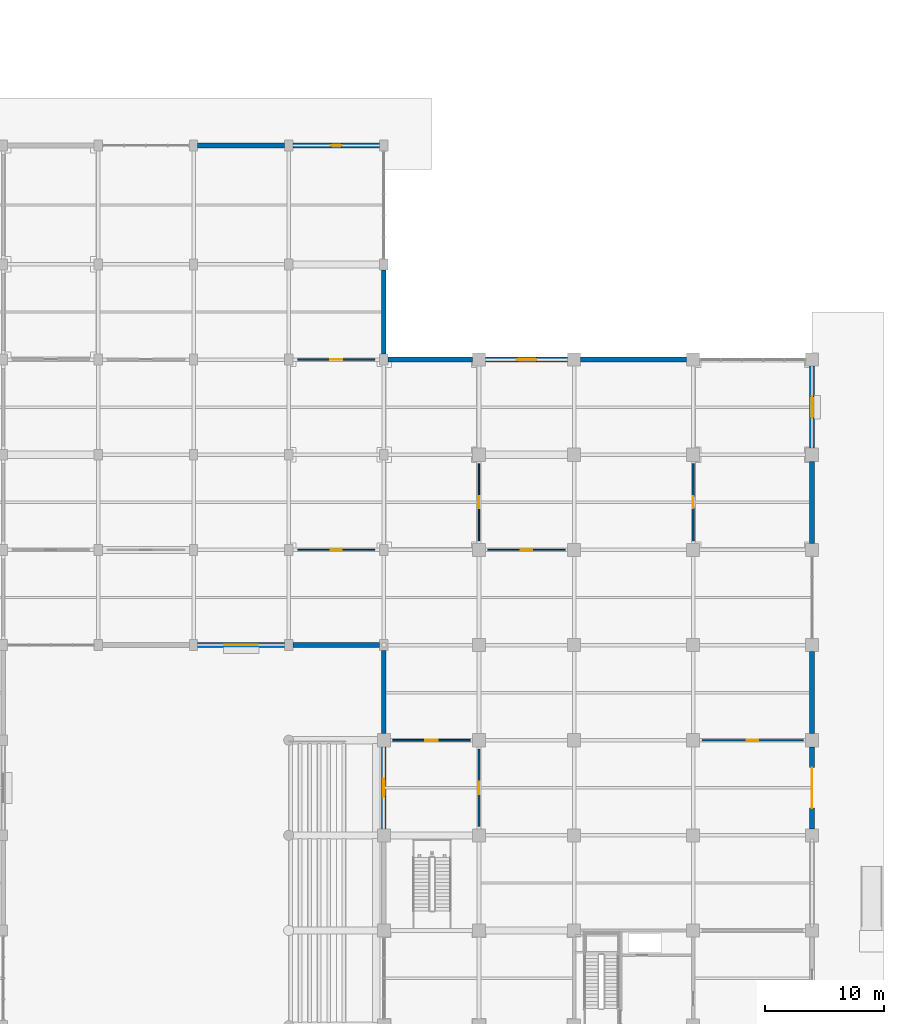
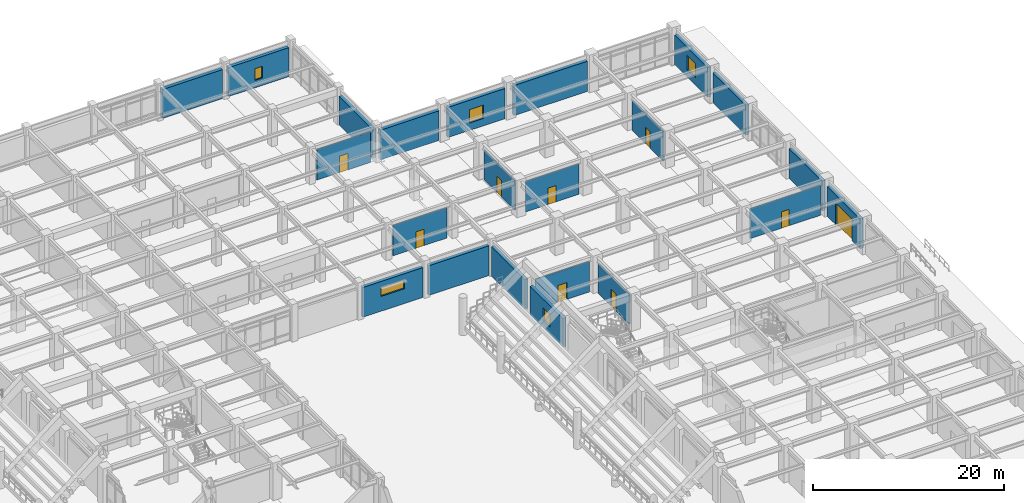
# One storey, part 93 of 125: 22 walls, 9 doors, 5 windows, 14 openings.
"""IFC4 building model written with IfcOpenShell, lengths in metres."""

from ifc_helpers import new_model, si_unit, direction, frame, frame_2d, origin, place, context, subcontext, project, spatial, rectangle, extrude, material, layer, layer_set, type_object, element, fill, save


model = new_model("IFC4")

# Units and contexts
model_context = context("Model", 3, precision=1e-05, world=origin(), true_north=direction((0.0, 1.0)))
body_context = subcontext(model_context, "Body", "Model", "MODEL_VIEW")
ifc_project = project(units=[si_unit("LENGTHUNIT", "METRE"), si_unit("AREAUNIT", "SQUARE_METRE"), si_unit("VOLUMEUNIT", "CUBIC_METRE"), si_unit("PLANEANGLEUNIT", "RADIAN"), si_unit("MASSUNIT", "GRAM", prefix="KILO")], contexts=[model_context])

# Site, building, storey
site_placement = place(None, origin())
site = spatial("IfcSite", under=ifc_project, at=site_placement, CompositionType="ELEMENT")
building_placement = place(site_placement, origin())
building = spatial("IfcBuilding", under=site, at=building_placement, Name="Haebicheon Civic Stadium", CompositionType="ELEMENT")
storey_placement = place(building_placement, origin())
storey = spatial("IfcBuildingStorey", under=building, at=storey_placement, Name="L01", CompositionType="ELEMENT", Elevation=0.0)

# Wall, opening, window
ifc_material_1 = material(Name="Concrete C40/50", Category="concrete")
ifc_layer_1 = layer(ifc_material_1, 0.39990234375, Name="Concrete C40/50")
ifc_layer_set_1 = layer_set([ifc_layer_1], Name="Concrete C40/50")
wall_type_1 = type_object("IfcWallType", Name="EW-BM-400", PredefinedType="SOLIDWALL", material=ifc_layer_set_1)
wall_1_placement = place(storey_placement, frame((184.35009765625, 136.0, 0.0), z_axis=(0.0, 0.0, 1.0), x_axis=(1.0, 0.0, 0.0)))
wall_1 = element("IfcWall", 1, at=wall_1_placement, inside=storey, type_object=wall_type_1, material=ifc_layer_set_1, Name="L01 board-marked concrete facade wall 23-17-S", PredefinedType="SOLIDWALL", context=body_context, shape_type="SweptSolid", body=[
    extrude(rectangle(XDim=7.2998046875, YDim=0.39990234375, at=frame_2d((3.64990234375, 0.0))), origin(), (0.0, 0.0, 1.0), 3.81005859375),
])
opening_1_placement = place(wall_1_placement, frame((2.25, 0.0, 1.89990234375)))
opening_1 = element("IfcOpeningElement", 2, at=opening_1_placement, cuts=wall_1, Name="Opening WIN-280x110", PredefinedType="OPENING", context=body_context, shape_type="SweptSolid", body=[
    extrude(rectangle(XDim=2.800048828125, YDim=1.10009765625, at=frame_2d((1.39990234375, 0.550048828125))), frame((0.0, 0.2099609375, 0.0), z_axis=(0.0, -1.0, 0.0), x_axis=(1.0, 0.0, 0.0)), (0.0, 0.0, 1.0), 0.419921875),
])
ifc_material_2 = material(Name="Anodised aluminium and laminated glass", Category="aluminium")
window_type_1 = type_object("IfcWindowType", Name="WIN-280x110", PartitioningType="SINGLE_PANEL", PredefinedType="LIGHTDOME", material=ifc_material_2)
window_1_placement = place(opening_1_placement, origin())
window_1 = element("IfcWindow", 3, at=window_1_placement, inside=storey, type_object=window_type_1, material=ifc_material_2, Name="L01 facade window 021", OverallHeight=1.10009765625, OverallWidth=2.800048828125, PartitioningType="SINGLE_PANEL", PredefinedType="LIGHTDOME", context=body_context, shape_type="SweptSolid", body=[
    extrude(rectangle(XDim=2.800048828125, YDim=1.10009765625, at=frame_2d((1.39990234375, 0.550048828125))), frame((0.0, 0.030029296875, 0.0), z_axis=(0.0, -1.0, 0.0), x_axis=(1.0, 0.0, 0.0)), (0.0, 0.0, 1.0), 0.06005859375),
])
fill(opening_1, window_1)

# Walls
wall_2_placement = place(storey_placement, frame((184.35009765625, 178.0, 0.0), z_axis=(0.0, 0.0, 1.0), x_axis=(1.0, 0.0, 0.0)))
element("IfcWall", 4, at=wall_2_placement, inside=storey, type_object=wall_type_1, material=ifc_layer_set_1, Name="L01 board-marked concrete facade wall 23-22-N", PredefinedType="SOLIDWALL", context=body_context, shape_type="SweptSolid", body=[
    extrude(rectangle(XDim=7.2998046875, YDim=0.39990234375, at=frame_2d((3.64990234375, 0.0))), origin(), (0.0, 0.0, 1.0), 3.7099609375),
])
wall_3_placement = place(storey_placement, frame((192.35009765625, 136.0, 0.0), z_axis=(0.0, 0.0, 1.0), x_axis=(1.0, 0.0, 0.0)))
element("IfcWall", 5, at=wall_3_placement, inside=storey, type_object=wall_type_1, material=ifc_layer_set_1, Name="L01 board-marked concrete facade wall 24-17-S", PredefinedType="SOLIDWALL", context=body_context, shape_type="SweptSolid", body=[
    extrude(rectangle(XDim=7.2998046875, YDim=0.39990234375, at=frame_2d((3.64990234375, 0.0))), origin(), (0.0, 0.0, 1.0), 3.81005859375),
])
wall_4_placement = place(storey_placement, frame((200.0, 160.449951171875, 0.0), z_axis=(0.0, 0.0, 1.0), x_axis=(0.0, 1.0, 0.0)))
element("IfcWall", 6, at=wall_4_placement, inside=storey, type_object=wall_type_1, material=ifc_layer_set_1, Name="L01 board-marked concrete facade wall 25-20-E", PredefinedType="SOLIDWALL", context=body_context, shape_type="SweptSolid", body=[
    extrude(rectangle(XDim=7.10009765625, YDim=0.39990234375, at=frame_2d((3.550048828125, 0.0))), origin(), (0.0, 0.0, 1.0), 3.659912109375),
])

# Wall, opening, window
wall_5_placement = place(storey_placement, frame((192.35009765625, 178.0, 0.0), z_axis=(0.0, 0.0, 1.0), x_axis=(1.0, 0.0, 0.0)))
wall_5 = element("IfcWall", 7, at=wall_5_placement, inside=storey, type_object=wall_type_1, material=ifc_layer_set_1, Name="L01 board-marked concrete facade wall 24-22-N", PredefinedType="SOLIDWALL", context=body_context, shape_type="SweptSolid", body=[
    extrude(rectangle(XDim=7.2998046875, YDim=0.39990234375, at=frame_2d((3.64990234375, 0.0))), origin(), (0.0, 0.0, 1.0), 3.7099609375),
])
opening_2_placement = place(wall_5_placement, frame((3.199951171875, 0.0, 0.949951171875)))
opening_2 = element("IfcOpeningElement", 8, at=opening_2_placement, cuts=wall_5, Name="Opening WIN-090x150", PredefinedType="OPENING", context=body_context, shape_type="SweptSolid", body=[
    extrude(rectangle(XDim=0.89990234375, YDim=1.5, at=frame_2d((0.449951171875, 0.75))), frame((0.0, 0.2099609375, 0.0), z_axis=(0.0, -1.0, 0.0), x_axis=(1.0, 0.0, 0.0)), (0.0, 0.0, 1.0), 0.419921875),
])
ifc_material_3 = material(Name="Anodised aluminium and laminated glass", Category="aluminium")
window_type_2 = type_object("IfcWindowType", Name="WIN-090x150", PartitioningType="SINGLE_PANEL", PredefinedType="WINDOW", material=ifc_material_3)
window_2_placement = place(opening_2_placement, origin())
window_2 = element("IfcWindow", 9, at=window_2_placement, inside=storey, type_object=window_type_2, material=ifc_material_3, Name="L01 facade window 023", OverallHeight=1.5, OverallWidth=0.89990234375, PartitioningType="SINGLE_PANEL", PredefinedType="WINDOW", context=body_context, shape_type="SweptSolid", body=[
    extrude(rectangle(XDim=0.89990234375, YDim=1.5, at=frame_2d((0.449951171875, 0.75))), frame((0.0, 0.030029296875, 0.0), z_axis=(0.0, -1.0, 0.0), x_axis=(1.0, 0.0, 0.0)), (0.0, 0.0, 1.0), 0.06005859375),
])
fill(opening_2, window_2)

wall_6_placement = place(storey_placement, frame((200.0, 120.550048828125, 0.0), z_axis=(0.0, 0.0, 1.0), x_axis=(0.0, 1.0, 0.0)))
wall_6 = element("IfcWall", 10, at=wall_6_placement, inside=storey, type_object=wall_type_1, material=ifc_layer_set_1, Name="L01 board-marked concrete facade wall 25-15-W", PredefinedType="SOLIDWALL", context=body_context, shape_type="SweptSolid", body=[
    extrude(rectangle(XDim=6.89990234375, YDim=0.39990234375, at=frame_2d((3.449951171875, 0.0))), origin(), (0.0, 0.0, 1.0), 3.659912109375),
])
opening_3_placement = place(wall_6_placement, frame((2.699951171875, 0.0, 0.949951171875)))
opening_3 = element("IfcOpeningElement", 11, at=opening_3_placement, cuts=wall_6, Name="Opening WIN-150x160", PredefinedType="OPENING", context=body_context, shape_type="SweptSolid", body=[
    extrude(rectangle(XDim=1.5, YDim=1.60009765625, at=frame_2d((0.75, 0.800048828125))), frame((0.0, 0.2099609375, 0.0), z_axis=(0.0, -1.0, 0.0), x_axis=(1.0, 0.0, 0.0)), (0.0, 0.0, 1.0), 0.419921875),
])
ifc_material_4 = material(Name="Anodised aluminium and laminated glass", Category="aluminium")
window_type_3 = type_object("IfcWindowType", Name="WIN-150x160", PartitioningType="SINGLE_PANEL", PredefinedType="WINDOW", material=ifc_material_4)
window_3_placement = place(opening_3_placement, origin())
window_3 = element("IfcWindow", 12, at=window_3_placement, inside=storey, type_object=window_type_3, material=ifc_material_4, Name="L01 facade window 027", OverallHeight=1.60009765625, OverallWidth=1.5, PartitioningType="SINGLE_PANEL", PredefinedType="WINDOW", context=body_context, shape_type="SweptSolid", body=[
    extrude(rectangle(XDim=1.5, YDim=1.60009765625, at=frame_2d((0.75, 0.800048828125))), frame((0.0, 0.030029296875, 0.0), z_axis=(0.0, -1.0, 0.0), x_axis=(1.0, 0.0, 0.0)), (0.0, 0.0, 1.0), 0.06005859375),
])
fill(opening_3, window_3)

# Walls
wall_7_placement = place(storey_placement, frame((200.0, 128.550048828125, 0.0), z_axis=(0.0, 0.0, 1.0), x_axis=(0.0, 1.0, 0.0)))
element("IfcWall", 13, at=wall_7_placement, inside=storey, type_object=wall_type_1, material=ifc_layer_set_1, Name="L01 board-marked concrete facade wall 25-16-W", PredefinedType="SOLIDWALL", context=body_context, shape_type="SweptSolid", body=[
    extrude(rectangle(XDim=7.0, YDim=0.39990234375, at=frame_2d((3.5, 0.0))), origin(), (0.0, 0.0, 1.0), 3.81005859375),
])
wall_8_placement = place(storey_placement, frame((200.35009765625, 160.0, 0.0), z_axis=(0.0, 0.0, 1.0), x_axis=(1.0, 0.0, 0.0)))
element("IfcWall", 14, at=wall_8_placement, inside=storey, type_object=wall_type_1, material=ifc_layer_set_1, Name="L01 board-marked concrete facade wall 25-20-N", PredefinedType="SOLIDWALL", context=body_context, shape_type="SweptSolid", body=[
    extrude(rectangle(XDim=7.099853515625, YDim=0.39990234375, at=frame_2d((3.5498046875, 0.0))), origin(), (0.0, 0.0, 1.0), 3.81005859375),
])

# Wall, opening, window
wall_9_placement = place(storey_placement, frame((208.550048828125, 160.0, 0.0), z_axis=(0.0, 0.0, 1.0), x_axis=(1.0, 0.0, 0.0)))
wall_9 = element("IfcWall", 15, at=wall_9_placement, inside=storey, type_object=wall_type_1, material=ifc_layer_set_1, Name="L01 board-marked concrete facade wall 26-20-N", PredefinedType="SOLIDWALL", context=body_context, shape_type="SweptSolid", body=[
    extrude(rectangle(XDim=6.89990234375, YDim=0.39990234375, at=frame_2d((3.449951171875, 0.0))), origin(), (0.0, 0.0, 1.0), 3.8701171875),
])
opening_4_placement = place(wall_9_placement, frame((2.625, 0.0, 0.949951171875)))
opening_4 = element("IfcOpeningElement", 16, at=opening_4_placement, cuts=wall_9, Name="Opening WIN-165x170", PredefinedType="OPENING", context=body_context, shape_type="SweptSolid", body=[
    extrude(rectangle(XDim=1.64990234375, YDim=1.699951171875, at=frame_2d((0.824951171875, 0.85009765625))), frame((0.0, 0.2099609375, 0.0), z_axis=(0.0, -1.0, 0.0), x_axis=(1.0, 0.0, 0.0)), (0.0, 0.0, 1.0), 0.419921875),
])
ifc_material_5 = material(Name="Anodised aluminium and laminated glass", Category="aluminium")
window_type_4 = type_object("IfcWindowType", Name="WIN-165x170", PartitioningType="SINGLE_PANEL", PredefinedType="WINDOW", material=ifc_material_5)
window_4_placement = place(opening_4_placement, origin())
window_4 = element("IfcWindow", 17, at=window_4_placement, inside=storey, type_object=window_type_4, material=ifc_material_5, Name="L01 facade window 028", OverallHeight=1.699951171875, OverallWidth=1.64990234375, PartitioningType="SINGLE_PANEL", PredefinedType="WINDOW", context=body_context, shape_type="SweptSolid", body=[
    extrude(rectangle(XDim=1.64990234375, YDim=1.699951171875, at=frame_2d((0.824951171875, 0.85009765625))), frame((0.0, 0.030029296875, 0.0), z_axis=(0.0, -1.0, 0.0), x_axis=(1.0, 0.0, 0.0)), (0.0, 0.0, 1.0), 0.06005859375),
])
fill(opening_4, window_4)

# Wall
wall_10_placement = place(storey_placement, frame((216.550048828125, 160.0, 0.0), z_axis=(0.0, 0.0, 1.0), x_axis=(1.0, 0.0, 0.0)))
element("IfcWall", 18, at=wall_10_placement, inside=storey, type_object=wall_type_1, material=ifc_layer_set_1, Name="L01 board-marked concrete facade wall 27-20-N", PredefinedType="SOLIDWALL", context=body_context, shape_type="SweptSolid", body=[
    extrude(rectangle(XDim=8.89990234375, YDim=0.39990234375, at=frame_2d((4.449951171875, 0.0))), origin(), (0.0, 0.0, 1.0), 3.8701171875),
])

# Wall, opening, door
wall_11_placement = place(storey_placement, frame((236.0, 120.550048828125, 0.0), z_axis=(0.0, 0.0, 1.0), x_axis=(0.0, 1.0, 0.0)))
wall_11 = element("IfcWall", 19, at=wall_11_placement, inside=storey, type_object=wall_type_1, material=ifc_layer_set_1, Name="L01 board-marked concrete facade wall 29-15-E", PredefinedType="SOLIDWALL", context=body_context, shape_type="SweptSolid", body=[
    extrude(rectangle(XDim=6.89990234375, YDim=0.39990234375, at=frame_2d((3.449951171875, 0.0))), origin(), (0.0, 0.0, 1.0), 3.81005859375),
])
opening_5_placement = place(wall_11_placement, frame((1.75, 0.0, 0.0)))
opening_5 = element("IfcOpeningElement", 20, at=opening_5_placement, cuts=wall_11, Name="Opening E16", PredefinedType="OPENING", context=body_context, shape_type="SweptSolid", body=[
    extrude(rectangle(XDim=3.39990234375, YDim=2.75, at=frame_2d((1.699951171875, 1.375))), frame((0.0, 0.2099609375, 0.0), z_axis=(0.0, -1.0, 0.0), x_axis=(1.0, 0.0, 0.0)), (0.0, 0.0, 1.0), 0.419921875),
])
ifc_material_6 = material(Name="Anodised aluminium and laminated glass", Category="aluminium")
door_type_1 = type_object("IfcDoorType", Name="ED-MAIN-3400", OperationType="NOTDEFINED", PredefinedType="DOOR", material=ifc_material_6)
door_1_placement = place(opening_5_placement, origin())
door_1 = element("IfcDoor", 21, at=door_1_placement, inside=storey, type_object=door_type_1, material=ifc_material_6, Name="Main entrance E16", OperationType="DOUBLE_SWING_LEFT", OverallHeight=2.75, OverallWidth=3.39990234375, PredefinedType="DOOR", context=body_context, shape_type="SweptSolid", body=[
    extrude(rectangle(XDim=3.39990234375, YDim=2.75, at=frame_2d((1.699951171875, 1.375))), frame((0.0, 0.02490234375, 0.0), z_axis=(0.0, -1.0, 0.0), x_axis=(1.0, 0.0, 0.0)), (0.0, 0.0, 1.0), 0.050048828125),
])
fill(opening_5, door_1)

# Walls
for number, where, z_axis, x_axis, name in (
    (22, (236.0, 128.550048828125, 0.0), (0.0, 0.0, 1.0), (0.0, 1.0, 0.0), "L01 board-marked concrete facade wall 29-16-E"),
    (23, (236.0, 144.550048828125, 0.0), (0.0, 0.0, 1.0), (0.0, 1.0, 0.0), "L01 board-marked concrete facade wall 29-18-E"),
):
    element("IfcWall", number, at=place(storey_placement, frame(where, z_axis=z_axis, x_axis=x_axis)), inside=storey, type_object=wall_type_1, material=ifc_layer_set_1, Name=name, PredefinedType="SOLIDWALL", context=body_context, shape_type="SweptSolid", body=[
        extrude(rectangle(XDim=6.89990234375, YDim=0.39990234375, at=frame_2d((3.449951171875, 0.0))), origin(), (0.0, 0.0, 1.0), 3.81005859375),
    ])

# Wall, opening, window
wall_12_placement = place(storey_placement, frame((236.0, 152.550048828125, 0.0), z_axis=(0.0, 0.0, 1.0), x_axis=(0.0, 1.0, 0.0)))
wall_12 = element("IfcWall", 24, at=wall_12_placement, inside=storey, type_object=wall_type_1, material=ifc_layer_set_1, Name="L01 board-marked concrete facade wall 29-19-E", PredefinedType="SOLIDWALL", context=body_context, shape_type="SweptSolid", body=[
    extrude(rectangle(XDim=6.89990234375, YDim=0.39990234375, at=frame_2d((3.449951171875, 0.0))), origin(), (0.0, 0.0, 1.0), 3.81005859375),
])
opening_6_placement = place(wall_12_placement, frame((2.550048828125, 0.0, 0.949951171875)))
opening_6 = element("IfcOpeningElement", 25, at=opening_6_placement, cuts=wall_12, Name="Opening WIN-180x180", PredefinedType="OPENING", context=body_context, shape_type="SweptSolid", body=[
    extrude(rectangle(XDim=1.800048828125, YDim=1.800048828125, at=frame_2d((0.89990234375, 0.89990234375))), frame((0.0, 0.2099609375, 0.0), z_axis=(0.0, -1.0, 0.0), x_axis=(1.0, 0.0, 0.0)), (0.0, 0.0, 1.0), 0.419921875),
])
ifc_material_7 = material(Name="Anodised aluminium and laminated glass", Category="aluminium")
window_type_5 = type_object("IfcWindowType", Name="WIN-180x180", PartitioningType="SINGLE_PANEL", PredefinedType="WINDOW", material=ifc_material_7)
window_5_placement = place(opening_6_placement, origin())
window_5 = element("IfcWindow", 26, at=window_5_placement, inside=storey, type_object=window_type_5, material=ifc_material_7, Name="L01 facade window 029", OverallHeight=1.800048828125, OverallWidth=1.800048828125, PartitioningType="SINGLE_PANEL", PredefinedType="WINDOW", context=body_context, shape_type="SweptSolid", body=[
    extrude(rectangle(XDim=1.800048828125, YDim=1.800048828125, at=frame_2d((0.89990234375, 0.89990234375))), frame((0.0, 0.030029296875, 0.0), z_axis=(0.0, -1.0, 0.0), x_axis=(1.0, 0.0, 0.0)), (0.0, 0.0, 1.0), 0.06005859375),
])
fill(opening_6, window_5)

# Wall, opening, door
ifc_material_8 = material(Name="Anodised aluminium and laminated glass", Category="aluminium")
ifc_layer_2 = layer(ifc_material_8, 0.10009765625, Name="Anodised aluminium and laminated glass")
ifc_layer_set_2 = layer_set([ifc_layer_2], Name="Anodised aluminium and laminated glass")
wall_type_2 = type_object("IfcWallType", Name="IW-PRT-100", PredefinedType="PARTITIONING", material=ifc_layer_set_2)
wall_13_placement = place(storey_placement, frame((208.75, 144.0, 0.0), z_axis=(0.0, 0.0, 1.0), x_axis=(1.0, 0.0, 0.0)))
wall_13 = element("IfcWall", 27, at=wall_13_placement, inside=storey, type_object=wall_type_2, material=ifc_layer_set_2, Name="L01 Community Athletics Reception partition wall", PredefinedType="PARTITIONING", context=body_context, shape_type="SweptSolid", body=[
    extrude(rectangle(XDim=6.5, YDim=0.10009765625, at=frame_2d((3.25, 0.0))), origin(), (0.0, 0.0, 1.0), 3.909912109375),
])
opening_7_placement = place(wall_13_placement, frame((2.77490234375, 0.0, 0.0)))
opening_7 = element("IfcOpeningElement", 28, at=opening_7_placement, cuts=wall_13, Name="Opening D-L01-147", PredefinedType="OPENING", context=body_context, shape_type="SweptSolid", body=[
    extrude(rectangle(XDim=0.949951171875, YDim=2.10009765625, at=frame_2d((0.47509765625, 1.050048828125))), frame((0.0, 0.06005859375, 0.0), z_axis=(0.0, -1.0, 0.0), x_axis=(1.0, 0.0, 0.0)), (0.0, 0.0, 1.0), 0.1201171875),
])
ifc_material_9 = material(Name="Engineered hardwood timber", Category="wood")
door_type_2 = type_object("IfcDoorType", Name="ID-RM-0950", OperationType="NOTDEFINED", PredefinedType="DOOR", material=ifc_material_9)
door_2_placement = place(opening_7_placement, origin())
door_2 = element("IfcDoor", 29, at=door_2_placement, inside=storey, type_object=door_type_2, material=ifc_material_9, Name="L01 Community Athletics Reception entrance door D-L01-147", OperationType="SINGLE_SWING_RIGHT", OverallHeight=2.10009765625, OverallWidth=0.949951171875, PredefinedType="DOOR", context=body_context, shape_type="SweptSolid", body=[
    extrude(rectangle(XDim=0.949951171875, YDim=2.10009765625, at=frame_2d((0.47509765625, 1.050048828125))), frame((0.0, 0.02490234375, 0.0), z_axis=(0.0, -1.0, 0.0), x_axis=(1.0, 0.0, 0.0)), (0.0, 0.0, 1.0), 0.050048828125),
])
fill(opening_7, door_2)

wall_14_placement = place(storey_placement, frame((226.75, 128.0, 0.0), z_axis=(0.0, 0.0, 1.0), x_axis=(1.0, 0.0, 0.0)))
wall_14 = element("IfcWall", 30, at=wall_14_placement, inside=storey, type_object=wall_type_2, material=ifc_layer_set_2, Name="L01 Community Athletics Reception partition wall", PredefinedType="PARTITIONING", context=body_context, shape_type="SweptSolid", body=[
    extrude(rectangle(XDim=8.5, YDim=0.10009765625, at=frame_2d((4.25, 0.0))), origin(), (0.0, 0.0, 1.0), 3.81005859375),
])
opening_8_placement = place(wall_14_placement, frame((3.77490234375, 0.0, 0.0)))
opening_8 = element("IfcOpeningElement", 31, at=opening_8_placement, cuts=wall_14, Name="Opening D-L01-151", PredefinedType="OPENING", context=body_context, shape_type="SweptSolid", body=[
    extrude(rectangle(XDim=0.949951171875, YDim=2.10009765625, at=frame_2d((0.47509765625, 1.050048828125))), frame((0.0, 0.06005859375, 0.0), z_axis=(0.0, -1.0, 0.0), x_axis=(1.0, 0.0, 0.0)), (0.0, 0.0, 1.0), 0.1201171875),
])
door_3_placement = place(opening_8_placement, origin())
door_3 = element("IfcDoor", 32, at=door_3_placement, inside=storey, type_object=door_type_2, material=ifc_material_9, Name="L01 Community Athletics Reception entrance door D-L01-151", OperationType="SINGLE_SWING_RIGHT", OverallHeight=2.10009765625, OverallWidth=0.949951171875, PredefinedType="DOOR", context=body_context, shape_type="SweptSolid", body=[
    extrude(rectangle(XDim=0.949951171875, YDim=2.10009765625, at=frame_2d((0.47509765625, 1.050048828125))), frame((0.0, 0.02490234375, 0.0), z_axis=(0.0, -1.0, 0.0), x_axis=(1.0, 0.0, 0.0)), (0.0, 0.0, 1.0), 0.050048828125),
])
fill(opening_8, door_3)

wall_15_placement = place(storey_placement, frame((192.75, 144.0, 0.0), z_axis=(0.0, 0.0, 1.0), x_axis=(1.0, 0.0, 0.0)))
wall_15 = element("IfcWall", 33, at=wall_15_placement, inside=storey, type_object=wall_type_2, material=ifc_layer_set_2, Name="L01 Hospitality Welcome Lounge partition wall", PredefinedType="PARTITIONING", context=body_context, shape_type="SweptSolid", body=[
    extrude(rectangle(XDim=6.5, YDim=0.10009765625, at=frame_2d((3.25, 0.0))), origin(), (0.0, 0.0, 1.0), 3.909912109375),
])
opening_9_placement = place(wall_15_placement, frame((2.77490234375, 0.0, 0.0)))
opening_9 = element("IfcOpeningElement", 34, at=opening_9_placement, cuts=wall_15, Name="Opening D-L01-165", PredefinedType="OPENING", context=body_context, shape_type="SweptSolid", body=[
    extrude(rectangle(XDim=0.949951171875, YDim=2.10009765625, at=frame_2d((0.47509765625, 1.050048828125))), frame((0.0, 0.06005859375, 0.0), z_axis=(0.0, -1.0, 0.0), x_axis=(1.0, 0.0, 0.0)), (0.0, 0.0, 1.0), 0.1201171875),
])
door_4_placement = place(opening_9_placement, origin())
door_4 = element("IfcDoor", 35, at=door_4_placement, inside=storey, type_object=door_type_2, material=ifc_material_9, Name="L01 Hospitality Welcome Lounge entrance door D-L01-165", OperationType="SINGLE_SWING_RIGHT", OverallHeight=2.10009765625, OverallWidth=0.949951171875, PredefinedType="DOOR", context=body_context, shape_type="SweptSolid", body=[
    extrude(rectangle(XDim=0.949951171875, YDim=2.10009765625, at=frame_2d((0.47509765625, 1.050048828125))), frame((0.0, 0.02490234375, 0.0), z_axis=(0.0, -1.0, 0.0), x_axis=(1.0, 0.0, 0.0)), (0.0, 0.0, 1.0), 0.050048828125),
])
fill(opening_9, door_4)

ifc_material_10 = material(Name="Gypsum plasterboard on steel studs", Category="gypsum")
ifc_layer_3 = layer(ifc_material_10, 0.1201171875, Name="Gypsum plasterboard on steel studs")
ifc_layer_set_3 = layer_set([ifc_layer_3], Name="Gypsum plasterboard on steel studs")
wall_type_3 = type_object("IfcWallType", Name="IW-PRT-120", PredefinedType="PARTITIONING", material=ifc_layer_set_3)
wall_16_placement = place(storey_placement, frame((208.0, 144.75, 0.0), z_axis=(0.0, 0.0, 1.0), x_axis=(0.0, 1.0, 0.0)))
wall_16 = element("IfcWall", 36, at=wall_16_placement, inside=storey, type_object=wall_type_3, material=ifc_layer_set_3, Name="L01 Community Athletics Reception partition wall", PredefinedType="PARTITIONING", context=body_context, shape_type="SweptSolid", body=[
    extrude(rectangle(XDim=6.5, YDim=0.1201171875, at=frame_2d((3.25, 0.0))), origin(), (0.0, 0.0, 1.0), 3.81005859375),
])
opening_10_placement = place(wall_16_placement, frame((2.75, 0.0, 0.0)))
opening_10 = element("IfcOpeningElement", 37, at=opening_10_placement, cuts=wall_16, Name="Opening D-L01-142", PredefinedType="OPENING", context=body_context, shape_type="SweptSolid", body=[
    extrude(rectangle(XDim=1.0, YDim=2.10009765625, at=frame_2d((0.5, 1.050048828125))), frame((0.0, 0.070068359375, 0.0), z_axis=(0.0, -1.0, 0.0), x_axis=(1.0, 0.0, 0.0)), (0.0, 0.0, 1.0), 0.14013671875),
])
ifc_material_11 = material(Name="Engineered hardwood timber", Category="wood")
door_type_3 = type_object("IfcDoorType", Name="ID-RM-1000", OperationType="NOTDEFINED", PredefinedType="DOOR", material=ifc_material_11)
door_5_placement = place(opening_10_placement, origin())
door_5 = element("IfcDoor", 38, at=door_5_placement, inside=storey, type_object=door_type_3, material=ifc_material_11, Name="L01 Community Athletics Reception entrance door D-L01-142", OperationType="SINGLE_SWING_LEFT", OverallHeight=2.10009765625, OverallWidth=1.0, PredefinedType="DOOR", context=body_context, shape_type="SweptSolid", body=[
    extrude(rectangle(XDim=1.0, YDim=2.10009765625, at=frame_2d((0.5, 1.050048828125))), frame((0.0, 0.02490234375, 0.0), z_axis=(0.0, -1.0, 0.0), x_axis=(1.0, 0.0, 0.0)), (0.0, 0.0, 1.0), 0.050048828125),
])
fill(opening_10, door_5)

wall_17_placement = place(storey_placement, frame((192.75, 160.0, 0.0), z_axis=(0.0, 0.0, 1.0), x_axis=(1.0, 0.0, 0.0)))
wall_17 = element("IfcWall", 39, at=wall_17_placement, inside=storey, type_object=wall_type_3, material=ifc_layer_set_3, Name="L01 Civic Sports Exhibition Gallery partition wall", PredefinedType="PARTITIONING", context=body_context, shape_type="SweptSolid", body=[
    extrude(rectangle(XDim=6.5, YDim=0.1201171875, at=frame_2d((3.25, 0.0))), origin(), (0.0, 0.0, 1.0), 3.909912109375),
])
opening_11_placement = place(wall_17_placement, frame((2.75, 0.0, 0.0)))
opening_11 = element("IfcOpeningElement", 40, at=opening_11_placement, cuts=wall_17, Name="Opening D-L01-166", PredefinedType="OPENING", context=body_context, shape_type="SweptSolid", body=[
    extrude(rectangle(XDim=1.0, YDim=2.10009765625, at=frame_2d((0.5, 1.050048828125))), frame((0.0, 0.070068359375, 0.0), z_axis=(0.0, -1.0, 0.0), x_axis=(1.0, 0.0, 0.0)), (0.0, 0.0, 1.0), 0.14013671875),
])
door_6_placement = place(opening_11_placement, origin())
door_6 = element("IfcDoor", 41, at=door_6_placement, inside=storey, type_object=door_type_3, material=ifc_material_11, Name="L01 Civic Sports Exhibition Gallery entrance door D-L01-166", OperationType="SINGLE_SWING_LEFT", OverallHeight=2.10009765625, OverallWidth=1.0, PredefinedType="DOOR", context=body_context, shape_type="SweptSolid", body=[
    extrude(rectangle(XDim=1.0, YDim=2.10009765625, at=frame_2d((0.5, 1.050048828125))), frame((0.0, 0.02490234375, 0.0), z_axis=(0.0, -1.0, 0.0), x_axis=(1.0, 0.0, 0.0)), (0.0, 0.0, 1.0), 0.050048828125),
])
fill(opening_11, door_6)

ifc_material_12 = material(Name="Gypsum plasterboard on steel studs", Category="gypsum")
ifc_layer_4 = layer(ifc_material_12, 0.14990234375, Name="Gypsum plasterboard on steel studs")
ifc_layer_set_4 = layer_set([ifc_layer_4], Name="Gypsum plasterboard on steel studs")
wall_type_4 = type_object("IfcWallType", Name="IW-PRT-150", PredefinedType="PARTITIONING", material=ifc_layer_set_4)
wall_18_placement = place(storey_placement, frame((200.75, 128.0, 0.0), z_axis=(0.0, 0.0, 1.0), x_axis=(1.0, 0.0, 0.0)))
wall_18 = element("IfcWall", 42, at=wall_18_placement, inside=storey, type_object=wall_type_4, material=ifc_layer_set_4, Name="L01 Physiotherapy Treatment Suite partition wall", PredefinedType="PARTITIONING", context=body_context, shape_type="SweptSolid", body=[
    extrude(rectangle(XDim=6.5, YDim=0.14990234375, at=frame_2d((3.25, 0.0))), origin(), (0.0, 0.0, 1.0), 3.909912109375),
])
opening_12_placement = place(wall_18_placement, frame((2.72509765625, 0.0, 0.0)))
opening_12 = element("IfcOpeningElement", 43, at=opening_12_placement, cuts=wall_18, Name="Opening D-L01-141", PredefinedType="OPENING", context=body_context, shape_type="SweptSolid", body=[
    extrude(rectangle(XDim=1.050048828125, YDim=2.14990234375, at=frame_2d((0.52490234375, 1.074951171875))), frame((0.0, 0.0849609375, 0.0), z_axis=(0.0, -1.0, 0.0), x_axis=(1.0, 0.0, 0.0)), (0.0, 0.0, 1.0), 0.169921875),
])
ifc_material_13 = material(Name="Engineered hardwood timber", Category="wood")
door_type_4 = type_object("IfcDoorType", Name="ID-RM-1050", OperationType="NOTDEFINED", PredefinedType="DOOR", material=ifc_material_13)
door_7_placement = place(opening_12_placement, origin())
door_7 = element("IfcDoor", 44, at=door_7_placement, inside=storey, type_object=door_type_4, material=ifc_material_13, Name="L01 Physiotherapy Treatment Suite entrance door D-L01-141", OperationType="SINGLE_SWING_RIGHT", OverallHeight=2.14990234375, OverallWidth=1.050048828125, PredefinedType="DOOR", context=body_context, shape_type="SweptSolid", body=[
    extrude(rectangle(XDim=1.050048828125, YDim=2.14990234375, at=frame_2d((0.52490234375, 1.074951171875))), frame((0.0, 0.02490234375, 0.0), z_axis=(0.0, -1.0, 0.0), x_axis=(1.0, 0.0, 0.0)), (0.0, 0.0, 1.0), 0.050048828125),
])
fill(opening_12, door_7)

wall_19_placement = place(storey_placement, frame((208.0, 120.75, 0.0), z_axis=(0.0, 0.0, 1.0), x_axis=(0.0, 1.0, 0.0)))
wall_19 = element("IfcWall", 45, at=wall_19_placement, inside=storey, type_object=wall_type_4, material=ifc_layer_set_4, Name="L01 Physiotherapy Treatment Suite partition wall", PredefinedType="PARTITIONING", context=body_context, shape_type="SweptSolid", body=[
    extrude(rectangle(XDim=6.5, YDim=0.14990234375, at=frame_2d((3.25, 0.0))), origin(), (0.0, 0.0, 1.0), 3.81005859375),
])
opening_13_placement = place(wall_19_placement, frame((2.72509765625, 0.0, 0.0)))
opening_13 = element("IfcOpeningElement", 46, at=opening_13_placement, cuts=wall_19, Name="Opening D-L01-146", PredefinedType="OPENING", context=body_context, shape_type="SweptSolid", body=[
    extrude(rectangle(XDim=1.050048828125, YDim=2.14990234375, at=frame_2d((0.52490234375, 1.074951171875))), frame((0.0, 0.0849609375, 0.0), z_axis=(0.0, -1.0, 0.0), x_axis=(1.0, 0.0, 0.0)), (0.0, 0.0, 1.0), 0.169921875),
])
door_8_placement = place(opening_13_placement, origin())
door_8 = element("IfcDoor", 47, at=door_8_placement, inside=storey, type_object=door_type_4, material=ifc_material_13, Name="L01 Physiotherapy Treatment Suite entrance door D-L01-146", OperationType="SINGLE_SWING_LEFT", OverallHeight=2.14990234375, OverallWidth=1.050048828125, PredefinedType="DOOR", context=body_context, shape_type="SweptSolid", body=[
    extrude(rectangle(XDim=1.050048828125, YDim=2.14990234375, at=frame_2d((0.52490234375, 1.074951171875))), frame((0.0, 0.02490234375, 0.0), z_axis=(0.0, -1.0, 0.0), x_axis=(1.0, 0.0, 0.0)), (0.0, 0.0, 1.0), 0.050048828125),
])
fill(opening_13, door_8)

ifc_material_14 = material(Name="Concrete C35/45", Category="concrete")
ifc_layer_5 = layer(ifc_material_14, 0.159912109375, Name="Concrete C35/45")
ifc_layer_set_5 = layer_set([ifc_layer_5], Name="Concrete C35/45")
wall_type_5 = type_object("IfcWallType", Name="IW-PRT-160", PredefinedType="PARTITIONING", material=ifc_layer_set_5)
wall_20_placement = place(storey_placement, frame((226.0, 144.75, 0.0), z_axis=(0.0, 0.0, 1.0), x_axis=(0.0, 1.0, 0.0)))
wall_20 = element("IfcWall", 48, at=wall_20_placement, inside=storey, type_object=wall_type_5, material=ifc_layer_set_5, Name="L01 Sports Medicine Clinic partition wall", PredefinedType="PARTITIONING", context=body_context, shape_type="SweptSolid", body=[
    extrude(rectangle(XDim=6.5, YDim=0.159912109375, at=frame_2d((3.25, 0.0))), origin(), (0.0, 0.0, 1.0), 3.81005859375),
])
opening_14_placement = place(wall_20_placement, frame((2.75, 0.0, 0.0)))
opening_14 = element("IfcOpeningElement", 49, at=opening_14_placement, cuts=wall_20, Name="Opening D-L01-152", PredefinedType="OPENING", context=body_context, shape_type="SweptSolid", body=[
    extrude(rectangle(XDim=1.0, YDim=2.10009765625, at=frame_2d((0.5, 1.050048828125))), frame((0.0, 0.08984375, 0.0), z_axis=(0.0, -1.0, 0.0), x_axis=(1.0, 0.0, 0.0)), (0.0, 0.0, 1.0), 0.179931640625),
])
door_9_placement = place(opening_14_placement, origin())
door_9 = element("IfcDoor", 50, at=door_9_placement, inside=storey, type_object=door_type_3, material=ifc_material_11, Name="L01 Sports Medicine Clinic entrance door D-L01-152", OperationType="SINGLE_SWING_LEFT", OverallHeight=2.10009765625, OverallWidth=1.0, PredefinedType="DOOR", context=body_context, shape_type="SweptSolid", body=[
    extrude(rectangle(XDim=1.0, YDim=2.10009765625, at=frame_2d((0.5, 1.050048828125))), frame((0.0, 0.02490234375, 0.0), z_axis=(0.0, -1.0, 0.0), x_axis=(1.0, 0.0, 0.0)), (0.0, 0.0, 1.0), 0.050048828125),
])
fill(opening_14, door_9)

save(model, "model.ifc")
